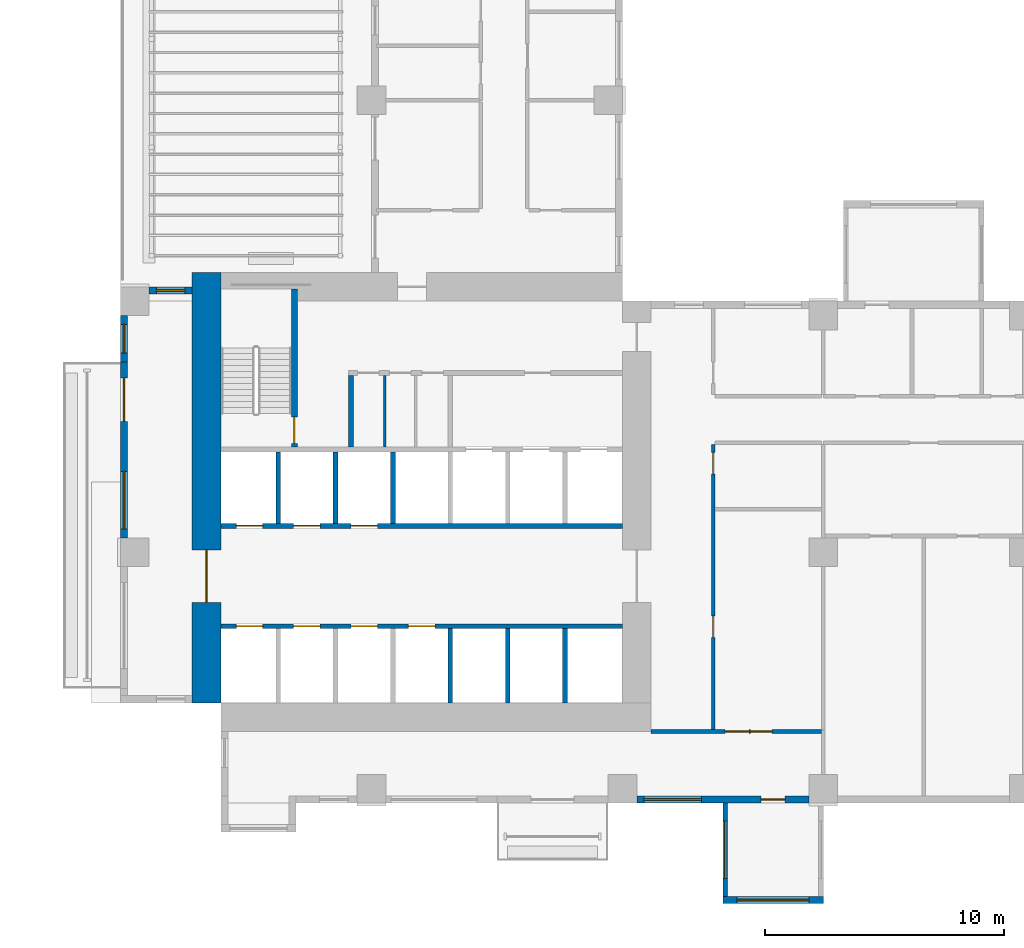
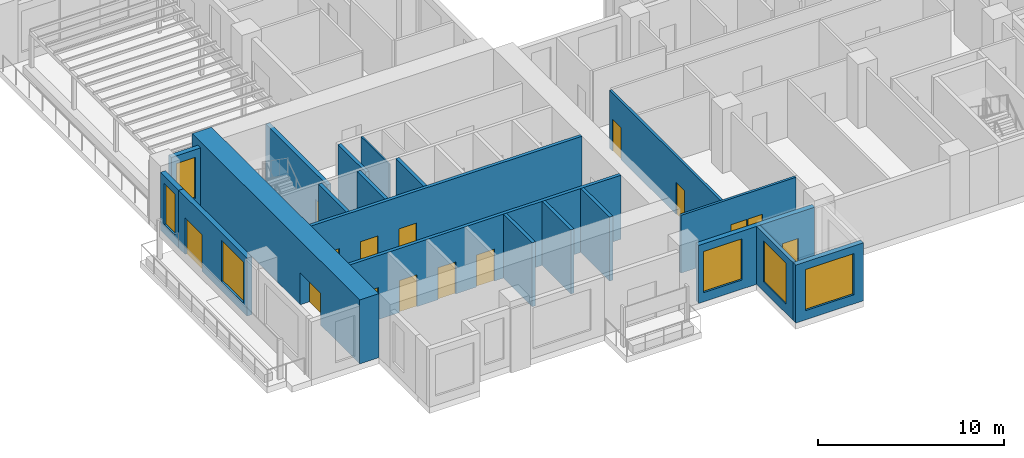
# One storey, part 4 of 17: 20 walls, 15 doors, 6 windows, 21 openings.
"""IFC4 building model written with IfcOpenShell, lengths in metres."""

from ifc_helpers import new_model, si_unit, direction, frame, frame_2d, origin, place, context, subcontext, project, spatial, rectangle, extrude, source, transform, mapped, material, layer, layer_set, type_object, element, fill, save


model = new_model("IFC4")

# Units and contexts
model_context = context("Model", 3, precision=1e-05, world=origin(), true_north=direction((0.0, 1.0)))
body_context = subcontext(model_context, "Body", "Model", "MODEL_VIEW")
ifc_project = project(units=[si_unit("LENGTHUNIT", "METRE"), si_unit("AREAUNIT", "SQUARE_METRE"), si_unit("VOLUMEUNIT", "CUBIC_METRE"), si_unit("PLANEANGLEUNIT", "RADIAN"), si_unit("MASSUNIT", "GRAM", prefix="KILO")], contexts=[model_context])

# Site, building, storey
site_placement = place(None, origin())
site = spatial("IfcSite", under=ifc_project, at=site_placement, CompositionType="ELEMENT")
building_placement = place(site_placement, origin())
building = spatial("IfcBuilding", under=site, at=building_placement, Name="Aurelian Terraces", CompositionType="ELEMENT")
storey_placement = place(building_placement, frame((0.0, 0.0, 69.9)))
storey = spatial("IfcBuildingStorey", under=building, at=storey_placement, Name="L14", CompositionType="ELEMENT", Elevation=69.9)

# Wall, opening, window
ifc_material_1 = material(Name="Terracotta rainscreen cladding", Category="masonry")
ifc_layer_1 = layer(ifc_material_1, 0.3)
ifc_layer_set_1 = layer_set([ifc_layer_1], Name="EW-300")
wall_type_1 = type_object("IfcWallType", Name="EW-300", PredefinedType="STANDARD", material=ifc_layer_set_1)
wall_1_placement = place(storey_placement, frame((0.15, 20.4, 0.0), z_axis=(0.0, 0.0, 1.0), x_axis=(0.0, -1.0, 0.0)))
wall_1 = element("IfcWall", 1, at=wall_1_placement, inside=storey, type_object=wall_type_1, Name="External wall L14 F18.41", PredefinedType="STANDARD", context=body_context, shape_type="SweptSolid", body=[
    extrude(rectangle(XDim=1.95, YDim=0.3, at=frame_2d((0.975, 0.0))), origin(), (0.0, 0.0, 1.0), 3.8),
])
shared_shape_1 = source(origin(), body_context, "Body", "SweptSolid", [
    extrude(rectangle(XDim=1.2, YDim=2.7, at=frame_2d((0.6, 1.35))), frame((0.0, 0.16, 0.0), z_axis=(0.0, -1.0, 0.0), x_axis=(1.0, 0.0, 0.0)), (0.0, 0.0, 1.0), 0.32),
])
opening_1_placement = place(wall_1_placement, frame((0.375, 0.0, 0.6)))
opening_1 = element("IfcOpeningElement", 2, at=opening_1_placement, cuts=wall_1, Name="Opening W1227", PredefinedType="OPENING", context=body_context, shape_type="MappedRepresentation", body=[
    mapped(shared_shape_1, transform((0.0, 0.0, 0.0), scale=1.0)),
])
ifc_material_2 = material(Name="Clear glazing", Category="glass")
window_type_1 = type_object("IfcWindowType", Name="W-1200x2700", PartitioningType="SINGLE_PANEL", PredefinedType="WINDOW", material=ifc_material_2)
shared_shape_2 = source(origin(), body_context, "Body", "SweptSolid", [
    extrude(rectangle(XDim=1.2, YDim=2.7, at=frame_2d((0.6, 1.35))), frame((0.0, 0.03, 0.0), z_axis=(0.0, -1.0, 0.0), x_axis=(1.0, 0.0, 0.0)), (0.0, 0.0, 1.0), 0.06),
])
window_1_placement = place(opening_1_placement, origin())
window_1 = element("IfcWindow", 3, at=window_1_placement, inside=storey, type_object=window_type_1, Name="Window L14 L14-F18-41-P0", OverallHeight=2.7, OverallWidth=1.2, PartitioningType="SINGLE_PANEL", PredefinedType="WINDOW", context=body_context, shape_type="MappedRepresentation", body=[
    mapped(shared_shape_2, transform((0.0, 0.0, 0.0), scale=1.0)),
])
fill(opening_1, window_1)

# Wall, openings, door, window
wall_2_placement = place(storey_placement, frame((0.15, 18.45, 0.0), z_axis=(0.0, 0.0, 1.0), x_axis=(0.0, -1.0, 0.0)))
wall_2 = element("IfcWall", 4, at=wall_2_placement, inside=storey, type_object=wall_type_1, Name="External wall L14 F18.42", PredefinedType="STANDARD", context=body_context, shape_type="SweptSolid", body=[
    extrude(rectangle(XDim=7.35, YDim=0.3, at=frame_2d((3.675, 0.0))), origin(), (0.0, 0.0, 1.0), 3.8),
])
shared_shape_3 = source(origin(), body_context, "Body", "SweptSolid", [
    extrude(rectangle(XDim=1.8, YDim=2.4, at=frame_2d((0.9, 1.2))), frame((0.0, 0.16, 0.0), z_axis=(0.0, -1.0, 0.0), x_axis=(1.0, 0.0, 0.0)), (0.0, 0.0, 1.0), 0.32),
])
opening_2_placement = place(wall_2_placement, frame((0.675, 0.0, 0.0)))
opening_2 = element("IfcOpeningElement", 5, at=opening_2_placement, cuts=wall_2, Name="Opening 81407", PredefinedType="OPENING", context=body_context, shape_type="MappedRepresentation", body=[
    mapped(shared_shape_3, transform((0.0, 0.0, 0.0), scale=1.0)),
])
shared_shape_4 = source(origin(), body_context, "Body", "SweptSolid", [
    extrude(rectangle(XDim=2.4, YDim=2.7, at=frame_2d((1.2, 1.35))), frame((0.0, 0.16, 0.0), z_axis=(0.0, -1.0, 0.0), x_axis=(1.0, 0.0, 0.0)), (0.0, 0.0, 1.0), 0.32),
])
opening_3_placement = place(wall_2_placement, frame((4.575, 0.0, 0.6)))
opening_3 = element("IfcOpeningElement", 6, at=opening_3_placement, cuts=wall_2, Name="Opening W2427", PredefinedType="OPENING", context=body_context, shape_type="MappedRepresentation", body=[
    mapped(shared_shape_4, transform((0.0, 0.0, 0.0), scale=1.0)),
])
door_type_1 = type_object("IfcDoorType", Name="BD-1800x2400", OperationType="SLIDING_TO_LEFT", PredefinedType="DOOR", material=ifc_material_2)
shared_shape_5 = source(origin(), body_context, "Body", "SweptSolid", [
    extrude(rectangle(XDim=1.8, YDim=2.4, at=frame_2d((0.9, 1.2))), frame((0.0, 0.025, 0.0), z_axis=(0.0, -1.0, 0.0), x_axis=(1.0, 0.0, 0.0)), (0.0, 0.0, 1.0), 0.05),
])
door_1_placement = place(opening_2_placement, origin())
door_1 = element("IfcDoor", 7, at=door_1_placement, inside=storey, type_object=door_type_1, Name="Balcony door L14 F18.42", OperationType="SLIDING_TO_LEFT", OverallHeight=2.4, OverallWidth=1.8, PredefinedType="DOOR", context=body_context, shape_type="MappedRepresentation", body=[
    mapped(shared_shape_5, transform((0.0, 0.0, 0.0), scale=1.0)),
])
fill(opening_2, door_1)
window_type_2 = type_object("IfcWindowType", Name="W-2400x2700", PartitioningType="SINGLE_PANEL", PredefinedType="WINDOW", material=ifc_material_2)
shared_shape_6 = source(origin(), body_context, "Body", "SweptSolid", [
    extrude(rectangle(XDim=2.4, YDim=2.7, at=frame_2d((1.2, 1.35))), frame((0.0, 0.03, 0.0), z_axis=(0.0, -1.0, 0.0), x_axis=(1.0, 0.0, 0.0)), (0.0, 0.0, 1.0), 0.06),
])
window_2_placement = place(opening_3_placement, origin())
window_2 = element("IfcWindow", 8, at=window_2_placement, inside=storey, type_object=window_type_2, Name="Window L14 L14-F18-42-1", OverallHeight=2.7, OverallWidth=2.4, PartitioningType="SINGLE_PANEL", PredefinedType="WINDOW", context=body_context, shape_type="MappedRepresentation", body=[
    mapped(shared_shape_6, transform((0.0, 0.0, 0.0), scale=1.0)),
])
fill(opening_3, window_2)

# Wall, opening, door
ifc_material_3 = material(Name="Concrete fc' 83 MPa", Category="concrete")
ifc_layer_2 = layer(ifc_material_3, 1.2)
ifc_layer_set_2 = layer_set([ifc_layer_2], Name="CORE WALL 1200 FC83")
wall_type_2 = type_object("IfcWallType", Name="CORE WALL 1200 FC83", PredefinedType="SHEAR", material=ifc_layer_set_2)
shared_shape_7 = source(origin(), body_context, "Body", "SweptSolid", [
    extrude(rectangle(XDim=18.0, YDim=1.2, at=frame_2d((9.0, 0.0))), origin(), (0.0, 0.0, 1.0), 4.2),
])
wall_3_placement = place(storey_placement, frame((3.6, 4.2, 0.0), z_axis=(0.0, 0.0, 1.0), x_axis=(0.0, 1.0, 0.0)))
wall_3 = element("IfcWall", 9, at=wall_3_placement, inside=storey, type_object=wall_type_2, Name="Core wall W L14", PredefinedType="SHEAR", context=body_context, shape_type="MappedRepresentation", body=[
    mapped(shared_shape_7, transform((0.0, 0.0, 0.0), scale=1.0)),
])
shared_shape_8 = source(origin(), body_context, "Body", "SweptSolid", [
    extrude(rectangle(XDim=2.2, YDim=2.1, at=frame_2d((1.1, 1.05))), frame((0.0, 0.61, 0.0), z_axis=(0.0, -1.0, 0.0), x_axis=(1.0, 0.0, 0.0)), (0.0, 0.0, 1.0), 1.22),
])
opening_4_placement = place(wall_3_placement, frame((4.2, 0.0, 0.0)))
opening_4 = element("IfcOpeningElement", 10, at=opening_4_placement, cuts=wall_3, Name="Opening 61722", PredefinedType="OPENING", context=body_context, shape_type="MappedRepresentation", body=[
    mapped(shared_shape_8, transform((0.0, 0.0, 0.0), scale=1.0)),
])
ifc_material_4 = material(Name="Steel door leaf", Category="steel")
door_type_2 = type_object("IfcDoorType", Name="Core double door 2200x2100", OperationType="DOUBLE_DOOR_SINGLE_SWING", PredefinedType="DOOR", material=ifc_material_4)
shared_shape_9 = source(origin(), body_context, "Body", "SweptSolid", [
    extrude(rectangle(XDim=2.2, YDim=2.1, at=frame_2d((1.1, 1.05))), frame((0.0, 0.025, 0.0), z_axis=(0.0, -1.0, 0.0), x_axis=(1.0, 0.0, 0.0)), (0.0, 0.0, 1.0), 0.05),
])
door_2_placement = place(opening_4_placement, origin())
door_2 = element("IfcDoor", 11, at=door_2_placement, inside=storey, type_object=door_type_2, Name="Core door 61722", OperationType="DOUBLE_DOOR_SINGLE_SWING", OverallHeight=2.1, OverallWidth=2.2, PredefinedType="DOOR", context=body_context, shape_type="MappedRepresentation", body=[
    mapped(shared_shape_9, transform((0.0, 0.0, 0.0), scale=1.0)),
])
fill(opening_4, door_2)

# Wall, openings, window, door
shared_shape_10 = source(origin(), body_context, "Body", "SweptSolid", [
    extrude(rectangle(XDim=7.2, YDim=0.3, at=frame_2d((3.6, 0.0))), origin(), (0.0, 0.0, 1.0), 3.8),
])
wall_4_placement = place(storey_placement, frame((21.6, 0.15, 0.0), z_axis=(0.0, 0.0, 1.0), x_axis=(1.0, 0.0, 0.0)))
wall_4 = element("IfcWall", 12, at=wall_4_placement, inside=storey, type_object=wall_type_1, Name="External wall L14 F01.5", PredefinedType="STANDARD", context=body_context, shape_type="MappedRepresentation", body=[
    mapped(shared_shape_10, transform((0.0, 0.0, 0.0), scale=1.0)),
])
opening_5_placement = place(wall_4_placement, frame((0.3, 0.0, 0.6)))
opening_5 = element("IfcOpeningElement", 13, at=opening_5_placement, cuts=wall_4, Name="Opening W2427", PredefinedType="OPENING", context=body_context, shape_type="MappedRepresentation", body=[
    mapped(shared_shape_4, transform((0.0, 0.0, 0.0), scale=1.0)),
])
shared_shape_11 = source(origin(), body_context, "Body", "SweptSolid", [
    extrude(rectangle(XDim=1.0, YDim=2.1, at=frame_2d((0.5, 1.05))), frame((0.0, 0.16, 0.0), z_axis=(0.0, -1.0, 0.0), x_axis=(1.0, 0.0, 0.0)), (0.0, 0.0, 1.0), 0.32),
])
opening_6_placement = place(wall_4_placement, frame((5.2, 0.0, 0.0)))
opening_6 = element("IfcOpeningElement", 14, at=opening_6_placement, cuts=wall_4, Name="Opening 814001", PredefinedType="OPENING", context=body_context, shape_type="MappedRepresentation", body=[
    mapped(shared_shape_11, transform((0.0, 0.0, 0.0), scale=1.0)),
])
window_3_placement = place(opening_5_placement, origin())
window_3 = element("IfcWindow", 15, at=window_3_placement, inside=storey, type_object=window_type_2, Name="Window L14 L14-F01-05-0", OverallHeight=2.7, OverallWidth=2.4, PartitioningType="SINGLE_PANEL", PredefinedType="WINDOW", context=body_context, shape_type="MappedRepresentation", body=[
    mapped(shared_shape_6, transform((0.0, 0.0, 0.0), scale=1.0)),
])
fill(opening_5, window_3)
ifc_material_5 = material(Name="Timber door leaf", Category="wood")
door_type_3 = type_object("IfcDoorType", Name="Room door 1000x2100 left", OperationType="SINGLE_SWING_LEFT", PredefinedType="DOOR", material=ifc_material_5)
shared_shape_12 = source(origin(), body_context, "Body", "SweptSolid", [
    extrude(rectangle(XDim=1.0, YDim=2.1, at=frame_2d((0.5, 1.05))), frame((0.0, 0.025, 0.0), z_axis=(0.0, -1.0, 0.0), x_axis=(1.0, 0.0, 0.0)), (0.0, 0.0, 1.0), 0.05),
])
door_3_placement = place(opening_6_placement, origin())
door_3 = element("IfcDoor", 16, at=door_3_placement, inside=storey, type_object=door_type_3, Name="Door 814001", OperationType="SINGLE_SWING_LEFT", OverallHeight=2.1, OverallWidth=1.0, PredefinedType="DOOR", context=body_context, shape_type="MappedRepresentation", body=[
    mapped(shared_shape_12, transform((0.0, 0.0, 0.0), scale=1.0)),
])
fill(opening_6, door_3)

# Wall, opening, window
shared_shape_13 = source(origin(), body_context, "Body", "SweptSolid", [
    extrude(rectangle(XDim=1.8, YDim=0.3, at=frame_2d((0.9, 0.0))), origin(), (0.0, 0.0, 1.0), 3.8),
])
wall_5_placement = place(storey_placement, frame((3.0, 21.45, 0.0), z_axis=(0.0, 0.0, 1.0), x_axis=(-1.0, 0.0, 0.0)))
wall_5 = element("IfcWall", 17, at=wall_5_placement, inside=storey, type_object=wall_type_1, Name="External wall L14 F17.40", PredefinedType="STANDARD", context=body_context, shape_type="MappedRepresentation", body=[
    mapped(shared_shape_13, transform((0.0, 0.0, 0.0), scale=1.0)),
])
opening_7_placement = place(wall_5_placement, frame((0.3, 0.0, 0.6)))
opening_7 = element("IfcOpeningElement", 18, at=opening_7_placement, cuts=wall_5, Name="Opening W1227", PredefinedType="OPENING", context=body_context, shape_type="MappedRepresentation", body=[
    mapped(shared_shape_1, transform((0.0, 0.0, 0.0), scale=1.0)),
])
window_4_placement = place(opening_7_placement, origin())
window_4 = element("IfcWindow", 19, at=window_4_placement, inside=storey, type_object=window_type_1, Name="Window L14 L14-F17-40-P0", OverallHeight=2.7, OverallWidth=1.2, PartitioningType="SINGLE_PANEL", PredefinedType="WINDOW", context=body_context, shape_type="MappedRepresentation", body=[
    mapped(shared_shape_2, transform((0.0, 0.0, 0.0), scale=1.0)),
])
fill(opening_7, window_4)

ifc_material_6 = material(Name="Concrete fc' 40 MPa", Category="concrete")
ifc_layer_3 = layer(ifc_material_6, 0.2)
ifc_layer_set_3 = layer_set([ifc_layer_3], Name="BOX BEARING WALL 200")
wall_type_3 = type_object("IfcWallType", Name="BOX BEARING WALL 200", PredefinedType="SOLIDWALL", material=ifc_layer_set_3)
shared_shape_14 = source(origin(), body_context, "Body", "SweptSolid", [
    extrude(rectangle(XDim=3.9, YDim=0.2, at=frame_2d((1.95, 0.0))), origin(), (0.0, 0.0, 1.0), 3.8),
])
wall_6_placement = place(storey_placement, frame((25.3, 0.0, 0.0), z_axis=(0.0, 0.0, 1.0), x_axis=(0.0, -1.0, 0.0)))
wall_6 = element("IfcWall", 20, at=wall_6_placement, inside=storey, type_object=wall_type_3, Name="Box return L14 J12.1", PredefinedType="SOLIDWALL", context=body_context, shape_type="MappedRepresentation", body=[
    mapped(shared_shape_14, transform((0.0, 0.0, 0.0), scale=1.0)),
])
shared_shape_15 = source(origin(), body_context, "Body", "SweptSolid", [
    extrude(rectangle(XDim=2.4, YDim=2.7, at=frame_2d((1.2, 1.35))), frame((0.0, 0.11, 0.0), z_axis=(0.0, -1.0, 0.0), x_axis=(1.0, 0.0, 0.0)), (0.0, 0.0, 1.0), 0.22),
])
opening_8_placement = place(wall_6_placement, frame((0.75, 0.0, 0.6)))
opening_8 = element("IfcOpeningElement", 21, at=opening_8_placement, cuts=wall_6, Name="Opening W2427", PredefinedType="OPENING", context=body_context, shape_type="MappedRepresentation", body=[
    mapped(shared_shape_15, transform((0.0, 0.0, 0.0), scale=1.0)),
])
window_5_placement = place(opening_8_placement, origin())
window_5 = element("IfcWindow", 22, at=window_5_placement, inside=storey, type_object=window_type_2, Name="Window L14 J12-S1", OverallHeight=2.7, OverallWidth=2.4, PartitioningType="SINGLE_PANEL", PredefinedType="WINDOW", context=body_context, shape_type="MappedRepresentation", body=[
    mapped(shared_shape_6, transform((0.0, 0.0, 0.0), scale=1.0)),
])
fill(opening_8, window_5)

ifc_layer_4 = layer(ifc_material_6, 0.3)
ifc_layer_set_4 = layer_set([ifc_layer_4], Name="BOX BEARING WALL 300")
wall_type_4 = type_object("IfcWallType", Name="BOX BEARING WALL 300", PredefinedType="SOLIDWALL", material=ifc_layer_set_4)
shared_shape_16 = source(origin(), body_context, "Body", "SweptSolid", [
    extrude(rectangle(XDim=4.2, YDim=0.3, at=frame_2d((2.1, 0.0))), origin(), (0.0, 0.0, 1.0), 3.8),
])
wall_7_placement = place(storey_placement, frame((25.2, -4.05, 0.0), z_axis=(0.0, 0.0, 1.0), x_axis=(1.0, 0.0, 0.0)))
wall_7 = element("IfcWall", 23, at=wall_7_placement, inside=storey, type_object=wall_type_4, Name="Box wall L14 J12", PredefinedType="SOLIDWALL", context=body_context, shape_type="MappedRepresentation", body=[
    mapped(shared_shape_16, transform((0.0, 0.0, 0.0), scale=1.0)),
])
shared_shape_17 = source(origin(), body_context, "Body", "SweptSolid", [
    extrude(rectangle(XDim=3.0, YDim=2.7, at=frame_2d((1.5, 1.35))), frame((0.0, 0.16, 0.0), z_axis=(0.0, -1.0, 0.0), x_axis=(1.0, 0.0, 0.0)), (0.0, 0.0, 1.0), 0.32),
])
opening_9_placement = place(wall_7_placement, frame((0.6, 0.0, 0.6)))
opening_9 = element("IfcOpeningElement", 24, at=opening_9_placement, cuts=wall_7, Name="Opening W3027", PredefinedType="OPENING", context=body_context, shape_type="MappedRepresentation", body=[
    mapped(shared_shape_17, transform((0.0, 0.0, 0.0), scale=1.0)),
])
window_type_3 = type_object("IfcWindowType", Name="W-3000x2700", PartitioningType="SINGLE_PANEL", PredefinedType="WINDOW", material=ifc_material_2)
shared_shape_18 = source(origin(), body_context, "Body", "SweptSolid", [
    extrude(rectangle(XDim=3.0, YDim=2.7, at=frame_2d((1.5, 1.35))), frame((0.0, 0.03, 0.0), z_axis=(0.0, -1.0, 0.0), x_axis=(1.0, 0.0, 0.0)), (0.0, 0.0, 1.0), 0.06),
])
window_6_placement = place(opening_9_placement, origin())
window_6 = element("IfcWindow", 25, at=window_6_placement, inside=storey, type_object=window_type_3, Name="Window L14 J12-F1", OverallHeight=2.7, OverallWidth=3.0, PartitioningType="SINGLE_PANEL", PredefinedType="WINDOW", context=body_context, shape_type="MappedRepresentation", body=[
    mapped(shared_shape_18, transform((0.0, 0.0, 0.0), scale=1.0)),
])
fill(opening_9, window_6)

# Walls
ifc_layer_5 = layer(ifc_material_6, 0.2)
ifc_layer_set_5 = layer_set([ifc_layer_5], Name="Lift shaft wall 200")
wall_type_5 = type_object("IfcWallType", Name="Lift shaft wall 200", PredefinedType="SOLIDWALL", material=ifc_layer_set_5)
shared_shape_19 = source(origin(), body_context, "Body", "SweptSolid", [
    extrude(rectangle(XDim=3.1, YDim=0.2, at=frame_2d((1.55, 0.0))), origin(), (0.0, 0.0, 1.0), 4.2),
])
for number, where, z_axis, x_axis, name in (
    (26, (13.8, 4.2, 0.0), (0.0, 0.0, 1.0), (0.0, 1.0, 0.0), "L14 core wall CD-A4"),
    (27, (16.2, 4.2, 0.0), (0.0, 0.0, 1.0), (0.0, 1.0, 0.0), "L14 core wall CD-A5"),
    (28, (18.6, 4.2, 0.0), (0.0, 0.0, 1.0), (0.0, 1.0, 0.0), "L14 core wall CD-A6"),
):
    element("IfcWall", number, at=place(storey_placement, frame(where, z_axis=z_axis, x_axis=x_axis)), inside=storey, type_object=wall_type_5, Name=name, PredefinedType="SOLIDWALL", context=body_context, shape_type="MappedRepresentation", body=[
        mapped(shared_shape_19, transform((0.0, 0.0, 0.0), scale=1.0)),
    ])
shared_shape_20 = source(origin(), body_context, "Body", "SweptSolid", [
    extrude(rectangle(XDim=3.0, YDim=0.2, at=frame_2d((1.5, 0.0))), origin(), (0.0, 0.0, 1.0), 4.2),
])
for number, where, z_axis, x_axis, name in (
    (29, (6.6, 11.7, 0.0), (0.0, 0.0, 1.0), (0.0, 1.0, 0.0), "L14 core wall CD-B1"),
    (30, (9.0, 11.7, 0.0), (0.0, 0.0, 1.0), (0.0, 1.0, 0.0), "L14 core wall CD-B2"),
    (31, (11.4, 11.7, 0.0), (0.0, 0.0, 1.0), (0.0, 1.0, 0.0), "L14 core wall CD-B3"),
):
    element("IfcWall", number, at=place(storey_placement, frame(where, z_axis=z_axis, x_axis=x_axis)), inside=storey, type_object=wall_type_5, Name=name, PredefinedType="SOLIDWALL", context=body_context, shape_type="MappedRepresentation", body=[
        mapped(shared_shape_20, transform((0.0, 0.0, 0.0), scale=1.0)),
    ])

# Wall, openings, doors
shared_shape_21 = source(origin(), body_context, "Body", "SweptSolid", [
    extrude(rectangle(XDim=16.8, YDim=0.2, at=frame_2d((8.4, 0.0))), origin(), (0.0, 0.0, 1.0), 4.2),
])
wall_8_placement = place(storey_placement, frame((4.2, 7.4, 0.0), z_axis=(0.0, 0.0, 1.0), x_axis=(1.0, 0.0, 0.0)))
wall_8 = element("IfcWall", 32, at=wall_8_placement, inside=storey, type_object=wall_type_5, Name="L14 core wall CF-AF1", PredefinedType="SOLIDWALL", context=body_context, shape_type="MappedRepresentation", body=[
    mapped(shared_shape_21, transform((0.0, 0.0, 0.0), scale=1.0)),
])
shared_shape_22 = source(origin(), body_context, "Body", "SweptSolid", [
    extrude(rectangle(XDim=1.1, YDim=2.1, at=frame_2d((0.55, 1.05))), frame((0.0, 0.11, 0.0), z_axis=(0.0, -1.0, 0.0), x_axis=(1.0, 0.0, 0.0)), (0.0, 0.0, 1.0), 0.22),
])
opening_10_placement = place(wall_8_placement, frame((0.65, 0.0, 0.0)))
opening_10 = element("IfcOpeningElement", 33, at=opening_10_placement, cuts=wall_8, Name="Opening 61700", PredefinedType="OPENING", context=body_context, shape_type="MappedRepresentation", body=[
    mapped(shared_shape_22, transform((0.0, 0.0, 0.0), scale=1.0)),
])
opening_11_placement = place(wall_8_placement, frame((3.05, 0.0, 0.0)))
opening_11 = element("IfcOpeningElement", 34, at=opening_11_placement, cuts=wall_8, Name="Opening 61701", PredefinedType="OPENING", context=body_context, shape_type="MappedRepresentation", body=[
    mapped(shared_shape_22, transform((0.0, 0.0, 0.0), scale=1.0)),
])
opening_12_placement = place(wall_8_placement, frame((5.45, 0.0, 0.0)))
opening_12 = element("IfcOpeningElement", 35, at=opening_12_placement, cuts=wall_8, Name="Opening 61702", PredefinedType="OPENING", context=body_context, shape_type="MappedRepresentation", body=[
    mapped(shared_shape_22, transform((0.0, 0.0, 0.0), scale=1.0)),
])
opening_13_placement = place(wall_8_placement, frame((7.85, 0.0, 0.0)))
opening_13 = element("IfcOpeningElement", 36, at=opening_13_placement, cuts=wall_8, Name="Opening 61703", PredefinedType="OPENING", context=body_context, shape_type="MappedRepresentation", body=[
    mapped(shared_shape_22, transform((0.0, 0.0, 0.0), scale=1.0)),
])
ifc_material_7 = material(Name="Stainless steel", Category="steel")
door_type_4 = type_object("IfcDoorType", Name="Lift landing door 1100x2100", OperationType="SLIDING_TO_LEFT", PredefinedType="DOOR", material=ifc_material_7)
shared_shape_23 = source(origin(), body_context, "Body", "SweptSolid", [
    extrude(rectangle(XDim=1.1, YDim=2.1, at=frame_2d((0.55, 1.05))), frame((0.0, 0.025, 0.0), z_axis=(0.0, -1.0, 0.0), x_axis=(1.0, 0.0, 0.0)), (0.0, 0.0, 1.0), 0.05),
])
door_4_placement = place(opening_10_placement, origin())
door_4 = element("IfcDoor", 37, at=door_4_placement, inside=storey, type_object=door_type_4, Name="Lift landing door LL1 L14", OperationType="SLIDING_TO_LEFT", OverallHeight=2.1, OverallWidth=1.1, PredefinedType="DOOR", context=body_context, shape_type="MappedRepresentation", body=[
    mapped(shared_shape_23, transform((0.0, 0.0, 0.0), scale=1.0)),
])
fill(opening_10, door_4)
door_5_placement = place(opening_11_placement, origin())
door_5 = element("IfcDoor", 38, at=door_5_placement, inside=storey, type_object=door_type_4, Name="Lift landing door LL2 L14", OperationType="SLIDING_TO_LEFT", OverallHeight=2.1, OverallWidth=1.1, PredefinedType="DOOR", context=body_context, shape_type="MappedRepresentation", body=[
    mapped(shared_shape_23, transform((0.0, 0.0, 0.0), scale=1.0)),
])
fill(opening_11, door_5)
door_6_placement = place(opening_12_placement, origin())
door_6 = element("IfcDoor", 39, at=door_6_placement, inside=storey, type_object=door_type_4, Name="Lift landing door LL3 L14", OperationType="SLIDING_TO_LEFT", OverallHeight=2.1, OverallWidth=1.1, PredefinedType="DOOR", context=body_context, shape_type="MappedRepresentation", body=[
    mapped(shared_shape_23, transform((0.0, 0.0, 0.0), scale=1.0)),
])
fill(opening_12, door_6)
door_7_placement = place(opening_13_placement, origin())
door_7 = element("IfcDoor", 40, at=door_7_placement, inside=storey, type_object=door_type_4, Name="Lift landing door LL4 L14", OperationType="SLIDING_TO_LEFT", OverallHeight=2.1, OverallWidth=1.1, PredefinedType="DOOR", context=body_context, shape_type="MappedRepresentation", body=[
    mapped(shared_shape_23, transform((0.0, 0.0, 0.0), scale=1.0)),
])
fill(opening_13, door_7)

wall_9_placement = place(storey_placement, frame((4.2, 11.6, 0.0), z_axis=(0.0, 0.0, 1.0), x_axis=(1.0, 0.0, 0.0)))
wall_9 = element("IfcWall", 41, at=wall_9_placement, inside=storey, type_object=wall_type_5, Name="L14 core wall CF-BF1", PredefinedType="SOLIDWALL", context=body_context, shape_type="MappedRepresentation", body=[
    mapped(shared_shape_21, transform((0.0, 0.0, 0.0), scale=1.0)),
])
opening_14_placement = place(wall_9_placement, frame((0.65, 0.0, 0.0)))
opening_14 = element("IfcOpeningElement", 42, at=opening_14_placement, cuts=wall_9, Name="Opening 61704", PredefinedType="OPENING", context=body_context, shape_type="MappedRepresentation", body=[
    mapped(shared_shape_22, transform((0.0, 0.0, 0.0), scale=1.0)),
])
opening_15_placement = place(wall_9_placement, frame((3.05, 0.0, 0.0)))
opening_15 = element("IfcOpeningElement", 43, at=opening_15_placement, cuts=wall_9, Name="Opening 61705", PredefinedType="OPENING", context=body_context, shape_type="MappedRepresentation", body=[
    mapped(shared_shape_22, transform((0.0, 0.0, 0.0), scale=1.0)),
])
opening_16_placement = place(wall_9_placement, frame((5.45, 0.0, 0.0)))
opening_16 = element("IfcOpeningElement", 44, at=opening_16_placement, cuts=wall_9, Name="Opening 61706", PredefinedType="OPENING", context=body_context, shape_type="MappedRepresentation", body=[
    mapped(shared_shape_22, transform((0.0, 0.0, 0.0), scale=1.0)),
])
door_8_placement = place(opening_14_placement, origin())
door_8 = element("IfcDoor", 45, at=door_8_placement, inside=storey, type_object=door_type_4, Name="Lift landing door LL5 L14", OperationType="SLIDING_TO_LEFT", OverallHeight=2.1, OverallWidth=1.1, PredefinedType="DOOR", context=body_context, shape_type="MappedRepresentation", body=[
    mapped(shared_shape_23, transform((0.0, 0.0, 0.0), scale=1.0)),
])
fill(opening_14, door_8)
door_9_placement = place(opening_15_placement, origin())
door_9 = element("IfcDoor", 46, at=door_9_placement, inside=storey, type_object=door_type_4, Name="Lift landing door LL6 L14", OperationType="SLIDING_TO_LEFT", OverallHeight=2.1, OverallWidth=1.1, PredefinedType="DOOR", context=body_context, shape_type="MappedRepresentation", body=[
    mapped(shared_shape_23, transform((0.0, 0.0, 0.0), scale=1.0)),
])
fill(opening_15, door_9)
door_10_placement = place(opening_16_placement, origin())
door_10 = element("IfcDoor", 47, at=door_10_placement, inside=storey, type_object=door_type_4, Name="Lift landing door LL7 L14", OperationType="SLIDING_TO_LEFT", OverallHeight=2.1, OverallWidth=1.1, PredefinedType="DOOR", context=body_context, shape_type="MappedRepresentation", body=[
    mapped(shared_shape_23, transform((0.0, 0.0, 0.0), scale=1.0)),
])
fill(opening_16, door_10)

# Walls
ifc_material_8 = material(Name="Gypsum board on steel studs", Category="steel")
ifc_layer_6 = layer(ifc_material_8, 0.2)
ifc_layer_set_6 = layer_set([ifc_layer_6], Name="Core partition 200")
wall_type_6 = type_object("IfcWallType", Name="Core partition 200", PredefinedType="PARTITIONING", material=ifc_layer_set_6)
shared_shape_24 = source(origin(), body_context, "Body", "SweptSolid", [
    extrude(rectangle(XDim=3.0, YDim=0.2, at=frame_2d((1.5, 0.0))), origin(), (0.0, 0.0, 1.0), 3.8),
])
wall_10_placement = place(storey_placement, frame((9.65, 14.9, 0.0), z_axis=(0.0, 0.0, 1.0), x_axis=(0.0, 1.0, 0.0)))
element("IfcWall", 48, at=wall_10_placement, inside=storey, type_object=wall_type_6, Name="L14 core wall CP-VEST", PredefinedType="PARTITIONING", context=body_context, shape_type="MappedRepresentation", body=[
    mapped(shared_shape_24, transform((0.0, 0.0, 0.0), scale=1.0)),
])
ifc_layer_7 = layer(ifc_material_8, 0.1)
ifc_layer_set_7 = layer_set([ifc_layer_7], Name="Core partition 100")
wall_type_7 = type_object("IfcWallType", Name="Core partition 100", PredefinedType="PARTITIONING", material=ifc_layer_set_7)
shared_shape_25 = source(origin(), body_context, "Body", "SweptSolid", [
    extrude(rectangle(XDim=3.0, YDim=0.1, at=frame_2d((1.5, 0.0))), origin(), (0.0, 0.0, 1.0), 3.8),
])
wall_11_placement = place(storey_placement, frame((11.05, 14.9, 0.0), z_axis=(0.0, 0.0, 1.0), x_axis=(0.0, 1.0, 0.0)))
element("IfcWall", 49, at=wall_11_placement, inside=storey, type_object=wall_type_7, Name="L14 core wall CP-SV1", PredefinedType="PARTITIONING", context=body_context, shape_type="MappedRepresentation", body=[
    mapped(shared_shape_25, transform((0.0, 0.0, 0.0), scale=1.0)),
])

# Wall, opening, door
ifc_layer_8 = layer(ifc_material_6, 0.25)
ifc_layer_set_8 = layer_set([ifc_layer_8], Name="Stair enclosure wall 250")
wall_type_8 = type_object("IfcWallType", Name="Stair enclosure wall 250", PredefinedType="SOLIDWALL", material=ifc_layer_set_8)
shared_shape_26 = source(origin(), body_context, "Body", "SweptSolid", [
    extrude(rectangle(XDim=6.6, YDim=0.25, at=frame_2d((3.3, 0.0))), origin(), (0.0, 0.0, 1.0), 3.8),
])
wall_12_placement = place(storey_placement, frame((7.275, 14.9, 0.0), z_axis=(0.0, 0.0, 1.0), x_axis=(0.0, 1.0, 0.0)))
wall_12 = element("IfcWall", 50, at=wall_12_placement, inside=storey, type_object=wall_type_8, Name="L14 core wall ST-S1-E", PredefinedType="SOLIDWALL", context=body_context, shape_type="MappedRepresentation", body=[
    mapped(shared_shape_26, transform((0.0, 0.0, 0.0), scale=1.0)),
])
shared_shape_27 = source(origin(), body_context, "Body", "SweptSolid", [
    extrude(rectangle(XDim=1.1, YDim=2.1, at=frame_2d((0.55, 1.05))), frame((0.0, 0.135, 0.0), z_axis=(0.0, -1.0, 0.0), x_axis=(1.0, 0.0, 0.0)), (0.0, 0.0, 1.0), 0.27),
])
opening_17_placement = place(wall_12_placement, frame((0.15, 0.0, 0.0)))
opening_17 = element("IfcOpeningElement", 51, at=opening_17_placement, cuts=wall_12, Name="Opening 61710", PredefinedType="OPENING", context=body_context, shape_type="MappedRepresentation", body=[
    mapped(shared_shape_27, transform((0.0, 0.0, 0.0), scale=1.0)),
])
door_type_5 = type_object("IfcDoorType", Name="Core fire door 1100x2100 right", OperationType="SINGLE_SWING_RIGHT", PredefinedType="DOOR", material=ifc_material_4)
door_11_placement = place(opening_17_placement, origin())
door_11 = element("IfcDoor", 52, at=door_11_placement, inside=storey, type_object=door_type_5, Name="Stair door 61710", OperationType="SINGLE_SWING_RIGHT", OverallHeight=2.1, OverallWidth=1.1, PredefinedType="DOOR", context=body_context, shape_type="MappedRepresentation", body=[
    mapped(shared_shape_23, transform((0.0, 0.0, 0.0), scale=1.0)),
])
fill(opening_17, door_11)

# Wall, openings, doors
ifc_layer_9 = layer(ifc_material_8, 0.15)
ifc_layer_set_9 = layer_set([ifc_layer_9], Name="Partition 150")
wall_type_9 = type_object("IfcWallType", Name="Partition 150", PredefinedType="PARTITIONING", material=ifc_layer_set_9)
shared_shape_28 = source(origin(), body_context, "Body", "SweptSolid", [
    extrude(rectangle(XDim=11.925, YDim=0.15, at=frame_2d((5.9625, 0.0))), origin(), (0.0, 0.0, 1.0), 3.8),
])
wall_13_placement = place(storey_placement, frame((24.8, 15.0, 0.0), z_axis=(0.0, 0.0, 1.0), x_axis=(0.0, -1.0, 0.0)))
wall_13 = element("IfcWall", 53, at=wall_13_placement, inside=storey, type_object=wall_type_9, Name="Partition", PredefinedType="PARTITIONING", context=body_context, shape_type="MappedRepresentation", body=[
    mapped(shared_shape_28, transform((0.0, 0.0, 0.0), scale=1.0)),
])
shared_shape_29 = source(origin(), body_context, "Body", "SweptSolid", [
    extrude(rectangle(XDim=0.9, YDim=2.1, at=frame_2d((0.45, 1.05))), frame((0.0, 0.085, 0.0), z_axis=(0.0, -1.0, 0.0), x_axis=(1.0, 0.0, 0.0)), (0.0, 0.0, 1.0), 0.17),
])
opening_18_placement = place(wall_13_placement, frame((7.1625, 0.0, 0.0)))
opening_18 = element("IfcOpeningElement", 54, at=opening_18_placement, cuts=wall_13, Name="Opening 714001", PredefinedType="OPENING", context=body_context, shape_type="MappedRepresentation", body=[
    mapped(shared_shape_29, transform((0.0, 0.0, 0.0), scale=1.0)),
])
opening_19_placement = place(wall_13_placement, frame((0.325, 0.0, 0.0)))
opening_19 = element("IfcOpeningElement", 55, at=opening_19_placement, cuts=wall_13, Name="Opening 714002", PredefinedType="OPENING", context=body_context, shape_type="MappedRepresentation", body=[
    mapped(shared_shape_29, transform((0.0, 0.0, 0.0), scale=1.0)),
])
door_type_6 = type_object("IfcDoorType", Name="Room door 900x2100 left", OperationType="SINGLE_SWING_LEFT", PredefinedType="DOOR", material=ifc_material_5)
shared_shape_30 = source(origin(), body_context, "Body", "SweptSolid", [
    extrude(rectangle(XDim=0.9, YDim=2.1, at=frame_2d((0.45, 1.05))), frame((0.0, 0.025, 0.0), z_axis=(0.0, -1.0, 0.0), x_axis=(1.0, 0.0, 0.0)), (0.0, 0.0, 1.0), 0.05),
])
door_12_placement = place(opening_18_placement, origin())
door_12 = element("IfcDoor", 56, at=door_12_placement, inside=storey, type_object=door_type_6, Name="Door 714001", OperationType="SINGLE_SWING_LEFT", OverallHeight=2.1, OverallWidth=0.9, PredefinedType="DOOR", context=body_context, shape_type="MappedRepresentation", body=[
    mapped(shared_shape_30, transform((0.0, 0.0, 0.0), scale=1.0)),
])
fill(opening_18, door_12)
door_type_7 = type_object("IfcDoorType", Name="Room door 900x2100 right", OperationType="SINGLE_SWING_RIGHT", PredefinedType="DOOR", material=ifc_material_5)
door_13_placement = place(opening_19_placement, origin())
door_13 = element("IfcDoor", 57, at=door_13_placement, inside=storey, type_object=door_type_7, Name="Door 714002", OperationType="SINGLE_SWING_RIGHT", OverallHeight=2.1, OverallWidth=0.9, PredefinedType="DOOR", context=body_context, shape_type="MappedRepresentation", body=[
    mapped(shared_shape_30, transform((0.0, 0.0, 0.0), scale=1.0)),
])
fill(opening_19, door_13)

shared_shape_31 = source(origin(), body_context, "Body", "SweptSolid", [
    extrude(rectangle(XDim=7.125, YDim=0.15, at=frame_2d((3.5625, 0.0))), origin(), (0.0, 0.0, 1.0), 3.8),
])
wall_14_placement = place(storey_placement, frame((22.2, 3.0, 0.0), z_axis=(0.0, 0.0, 1.0), x_axis=(1.0, 0.0, 0.0)))
wall_14 = element("IfcWall", 58, at=wall_14_placement, inside=storey, type_object=wall_type_9, Name="Partition", PredefinedType="PARTITIONING", context=body_context, shape_type="MappedRepresentation", body=[
    mapped(shared_shape_31, transform((0.0, 0.0, 0.0), scale=1.0)),
])
shared_shape_32 = source(origin(), body_context, "Body", "SweptSolid", [
    extrude(rectangle(XDim=1.0, YDim=2.1, at=frame_2d((0.5, 1.05))), frame((0.0, 0.085, 0.0), z_axis=(0.0, -1.0, 0.0), x_axis=(1.0, 0.0, 0.0)), (0.0, 0.0, 1.0), 0.17),
])
opening_20_placement = place(wall_14_placement, frame((3.1, 0.0, 0.0)))
opening_20 = element("IfcOpeningElement", 59, at=opening_20_placement, cuts=wall_14, Name="Opening 714004", PredefinedType="OPENING", context=body_context, shape_type="MappedRepresentation", body=[
    mapped(shared_shape_32, transform((0.0, 0.0, 0.0), scale=1.0)),
])
opening_21_placement = place(wall_14_placement, frame((4.162, 0.0, 0.0)))
opening_21 = element("IfcOpeningElement", 60, at=opening_21_placement, cuts=wall_14, Name="Opening 714049", PredefinedType="OPENING", context=body_context, shape_type="MappedRepresentation", body=[
    mapped(shared_shape_29, transform((0.0, 0.0, 0.0), scale=1.0)),
])
door_type_8 = type_object("IfcDoorType", Name="Room door 1000x2100 right", OperationType="SINGLE_SWING_RIGHT", PredefinedType="DOOR", material=ifc_material_5)
door_14_placement = place(opening_20_placement, origin())
door_14 = element("IfcDoor", 61, at=door_14_placement, inside=storey, type_object=door_type_8, Name="Door 714004", OperationType="SINGLE_SWING_RIGHT", OverallHeight=2.1, OverallWidth=1.0, PredefinedType="DOOR", context=body_context, shape_type="MappedRepresentation", body=[
    mapped(shared_shape_12, transform((0.0, 0.0, 0.0), scale=1.0)),
])
fill(opening_20, door_14)
door_15_placement = place(opening_21_placement, origin())
door_15 = element("IfcDoor", 62, at=door_15_placement, inside=storey, type_object=door_type_6, Name="Door 714049", OperationType="SINGLE_SWING_LEFT", OverallHeight=2.1, OverallWidth=0.9, PredefinedType="DOOR", context=body_context, shape_type="MappedRepresentation", body=[
    mapped(shared_shape_30, transform((0.0, 0.0, 0.0), scale=1.0)),
])
fill(opening_21, door_15)

save(model, "model.ifc")
